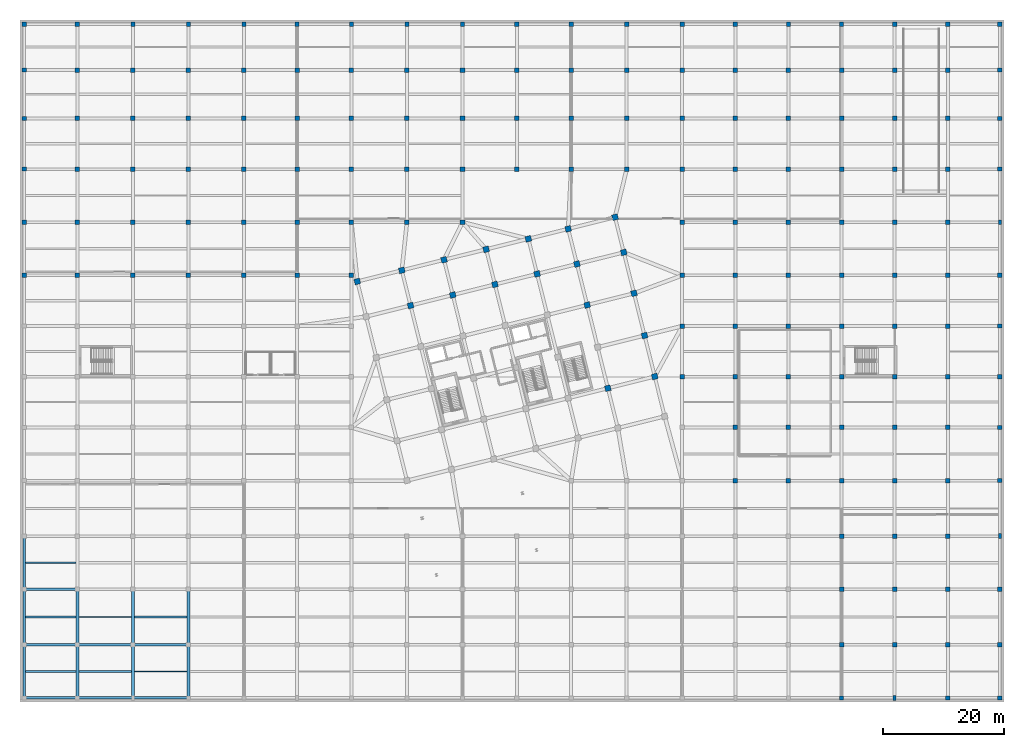
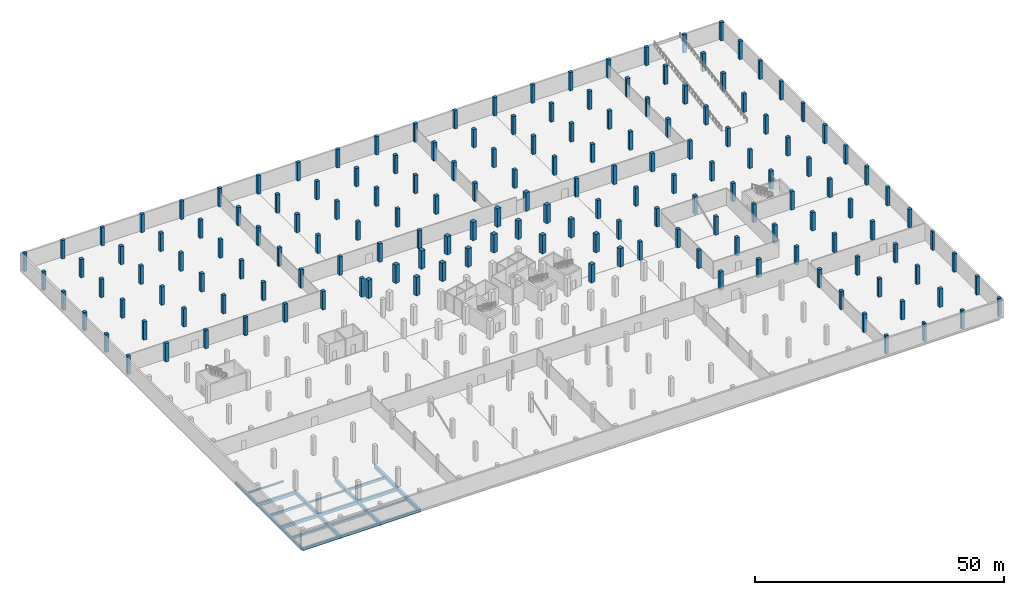
# One storey, part 7 of 31: 166 columns, 23 beams.
"""IFC4 building model written with IfcOpenShell, lengths in metres."""

from ifc_helpers import new_model, si_unit, direction, frame, origin, origin_2d, place, context, subcontext, project, spatial, rectangle, i_section, extrude, material, material_profile, profile_set, type_object, element, save


model = new_model("IFC4")

# Units and contexts
model_context = context("Model", 3, precision=1e-05, world=origin(), true_north=direction((0.0, 1.0)))
body_context = subcontext(model_context, "Body", "Model", "MODEL_VIEW")
ifc_project = project(units=[si_unit("LENGTHUNIT", "METRE"), si_unit("AREAUNIT", "SQUARE_METRE"), si_unit("VOLUMEUNIT", "CUBIC_METRE"), si_unit("PLANEANGLEUNIT", "RADIAN"), si_unit("MASSUNIT", "GRAM", prefix="KILO")], contexts=[model_context])

# Site, building, storey
site_placement = place(None, origin())
site = spatial("IfcSite", under=ifc_project, at=site_placement, CompositionType="ELEMENT")
building_placement = place(site_placement, origin())
building = spatial("IfcBuilding", under=site, at=building_placement, Name="Meriwether Solvik Hall", CompositionType="ELEMENT")
storey_placement = place(building_placement, frame((0.0, 0.0, -4.5)))
storey = spatial("IfcBuildingStorey", under=building, at=storey_placement, Name="B01", CompositionType="ELEMENT", Elevation=-4.5)

# Columns
ifc_material_1 = material(Name="Concrete C40/50", Category="concrete")
ifc_material_profile_1 = material_profile(ifc_material_1, rectangle(XDim=0.699951171875, YDim=0.699951171875, at=origin_2d()), Name="RCC-700X700")
ifc_profile_set_1 = profile_set([ifc_material_profile_1], Name="Concrete C40/50")
column_type_1 = type_object("IfcColumnType", Name="COL-RC-700", PredefinedType="COLUMN", material=ifc_profile_set_1)
for number, where, z_axis, x_axis, name in (
    (1, (5.199951171875, 75.199951171875, 0.0), (0.0, 0.0, 1.0), (1.0, 0.0, 0.0), "Podium Column 1/I (B01)"),
    (2, (5.199951171875, 84.0, 0.0), (0.0, 0.0, 1.0), (1.0, 0.0, 0.0), "Podium Column 1/J (B01)"),
    (3, (5.199951171875, 92.800048828125, 0.0), (0.0, 0.0, 1.0), (1.0, 0.0, 0.0), "Podium Column 1/K (B01)"),
    (4, (5.199951171875, 101.199951171875, 0.0), (0.0, 0.0, 1.0), (1.0, 0.0, 0.0), "Podium Column 1/L (B01)"),
    (5, (5.199951171875, 109.199951171875, 0.0), (0.0, 0.0, 1.0), (1.0, 0.0, 0.0), "Podium Column 1/M (B01)"),
    (6, (5.199951171875, 116.800048828125, 0.0), (0.0, 0.0, 1.0), (1.0, 0.0, 0.0), "Podium Column 1/N (B01)"),
    (7, (14.0, 116.800048828125, 0.0), (0.0, 0.0, 1.0), (1.0, 0.0, 0.0), "Podium Column 2/N (B01)"),
    (8, (23.199951171875, 116.800048828125, 0.0), (0.0, 0.0, 1.0), (1.0, 0.0, 0.0), "Podium Column 3/N (B01)"),
    (9, (32.39990234375, 116.800048828125, 0.0), (0.0, 0.0, 1.0), (1.0, 0.0, 0.0), "Podium Column 4/N (B01)"),
    (10, (41.60009765625, 116.800048828125, 0.0), (0.0, 0.0, 1.0), (1.0, 0.0, 0.0), "Podium Column 5/N (B01)"),
    (11, (50.39990234375, 116.800048828125, 0.0), (0.0, 0.0, 1.0), (1.0, 0.0, 0.0), "Podium Column 6/N (B01)"),
    (12, (59.39990234375, 116.800048828125, 0.0), (0.0, 0.0, 1.0), (1.0, 0.0, 0.0), "Podium Column 7/N (B01)"),
    (13, (68.60009765625, 116.800048828125, 0.0), (0.0, 0.0, 1.0), (1.0, 0.0, 0.0), "Podium Column 8/N (B01)"),
    (14, (77.800048828125, 116.800048828125, 0.0), (0.0, 0.0, 1.0), (1.0, 0.0, 0.0), "Podium Column 9/N (B01)"),
    (15, (86.800048828125, 116.800048828125, 0.0), (0.0, 0.0, 1.0), (1.0, 0.0, 0.0), "Podium Column 10/N (B01)"),
    (16, (95.800048828125, 116.800048828125, 0.0), (0.0, 0.0, 1.0), (1.0, 0.0, 0.0), "Podium Column 11/N (B01)"),
    (17, (105.0, 116.800048828125, 0.0), (0.0, 0.0, 1.0), (1.0, 0.0, 0.0), "Podium Column 12/N (B01)"),
    (18, (114.199951171875, 116.800048828125, 0.0), (0.0, 0.0, 1.0), (1.0, 0.0, 0.0), "Podium Column 13/N (B01)"),
    (19, (123.0, 116.800048828125, 0.0), (0.0, 0.0, 1.0), (1.0, 0.0, 0.0), "Podium Column 14/N (B01)"),
    (20, (131.800048828125, 116.800048828125, 0.0), (0.0, 0.0, 1.0), (1.0, 0.0, 0.0), "Podium Column 15/N (B01)"),
    (21, (140.60009765625, 5.199951171875, 0.0), (0.0, 0.0, 1.0), (1.0, 0.0, 0.0), "Podium Column 16/A (B01)"),
    (22, (140.60009765625, 116.800048828125, 0.0), (0.0, 0.0, 1.0), (1.0, 0.0, 0.0), "Podium Column 16/N (B01)"),
    (23, (149.39990234375, 116.800048828125, 0.0), (0.0, 0.0, 1.0), (1.0, 0.0, 0.0), "Podium Column 17/N (B01)"),
    (24, (158.199951171875, 5.199951171875, 0.0), (0.0, 0.0, 1.0), (1.0, 0.0, 0.0), "Podium Column 18/A (B01)"),
    (25, (158.199951171875, 116.800048828125, 0.0), (0.0, 0.0, 1.0), (1.0, 0.0, 0.0), "Podium Column 18/N (B01)"),
    (26, (166.800048828125, 5.199951171875, 0.0), (0.0, 0.0, 1.0), (1.0, 0.0, 0.0), "Podium Column 19/A (B01)"),
    (27, (166.800048828125, 14.0, 0.0), (0.0, 0.0, 1.0), (1.0, 0.0, 0.0), "Podium Column 19/B (B01)"),
    (28, (166.800048828125, 23.199951171875, 0.0), (0.0, 0.0, 1.0), (1.0, 0.0, 0.0), "Podium Column 19/C (B01)"),
    (29, (166.800048828125, 41.199951171875, 0.0), (0.0, 0.0, 1.0), (1.0, 0.0, 0.0), "Podium Column 19/E (B01)"),
    (30, (166.800048828125, 50.0, 0.0), (0.0, 0.0, 1.0), (1.0, 0.0, 0.0), "Podium Column 19/F (B01)"),
    (31, (166.800048828125, 58.39990234375, 0.0), (0.0, 0.0, 1.0), (1.0, 0.0, 0.0), "Podium Column 19/G (B01)"),
    (32, (166.800048828125, 66.800048828125, 0.0), (0.0, 0.0, 1.0), (1.0, 0.0, 0.0), "Podium Column 19/H (B01)"),
    (33, (166.800048828125, 75.199951171875, 0.0), (0.0, 0.0, 1.0), (1.0, 0.0, 0.0), "Podium Column 19/I (B01)"),
    (34, (166.800048828125, 92.800048828125, 0.0), (0.0, 0.0, 1.0), (1.0, 0.0, 0.0), "Podium Column 19/K (B01)"),
    (35, (166.800048828125, 101.199951171875, 0.0), (0.0, 0.0, 1.0), (1.0, 0.0, 0.0), "Podium Column 19/L (B01)"),
    (36, (166.800048828125, 109.199951171875, 0.0), (0.0, 0.0, 1.0), (1.0, 0.0, 0.0), "Podium Column 19/M (B01)"),
    (37, (166.800048828125, 116.800048828125, 0.0), (0.0, 0.0, 1.0), (1.0, 0.0, 0.0), "Podium Column 19/N (B01)"),
):
    element("IfcColumn", number, at=place(storey_placement, frame(where, z_axis=z_axis, x_axis=x_axis)), inside=storey, type_object=column_type_1, Name=name, PredefinedType="COLUMN", context=body_context, shape_type="SweptSolid", body=[
        extrude(rectangle(XDim=0.699951171875, YDim=0.699951171875, at=origin_2d()), origin(), (0.0, 0.0, 1.0), 4.5),
    ])
ifc_material_2 = material(Name="Concrete C40/50", Category="concrete")
ifc_material_profile_2 = material_profile(ifc_material_2, rectangle(XDim=0.75, YDim=0.75, at=origin_2d()), Name="RCC-750X750")
ifc_profile_set_2 = profile_set([ifc_material_profile_2], Name="Concrete C40/50")
column_type_2 = type_object("IfcColumnType", Name="COL-RC-750", PredefinedType="COLUMN", material=ifc_profile_set_2)
for number, where, z_axis, x_axis, name in (
    (38, (14.0, 75.199951171875, 0.0), (0.0, 0.0, 1.0), (1.0, 0.0, 0.0), "Podium Column 2/I (B01)"),
    (39, (14.0, 84.0, 0.0), (0.0, 0.0, 1.0), (1.0, 0.0, 0.0), "Podium Column 2/J (B01)"),
    (40, (14.0, 92.800048828125, 0.0), (0.0, 0.0, 1.0), (1.0, 0.0, 0.0), "Podium Column 2/K (B01)"),
    (41, (14.0, 101.199951171875, 0.0), (0.0, 0.0, 1.0), (1.0, 0.0, 0.0), "Podium Column 2/L (B01)"),
    (42, (14.0, 109.199951171875, 0.0), (0.0, 0.0, 1.0), (1.0, 0.0, 0.0), "Podium Column 2/M (B01)"),
    (43, (23.199951171875, 75.199951171875, 0.0), (0.0, 0.0, 1.0), (1.0, 0.0, 0.0), "Podium Column 3/I (B01)"),
    (44, (23.199951171875, 84.0, 0.0), (0.0, 0.0, 1.0), (1.0, 0.0, 0.0), "Podium Column 3/J (B01)"),
    (45, (23.199951171875, 92.800048828125, 0.0), (0.0, 0.0, 1.0), (1.0, 0.0, 0.0), "Podium Column 3/K (B01)"),
    (46, (23.199951171875, 101.199951171875, 0.0), (0.0, 0.0, 1.0), (1.0, 0.0, 0.0), "Podium Column 3/L (B01)"),
    (47, (23.199951171875, 109.199951171875, 0.0), (0.0, 0.0, 1.0), (1.0, 0.0, 0.0), "Podium Column 3/M (B01)"),
    (48, (32.39990234375, 75.199951171875, 0.0), (0.0, 0.0, 1.0), (1.0, 0.0, 0.0), "Podium Column 4/I (B01)"),
    (49, (32.39990234375, 84.0, 0.0), (0.0, 0.0, 1.0), (1.0, 0.0, 0.0), "Podium Column 4/J (B01)"),
    (50, (32.39990234375, 92.800048828125, 0.0), (0.0, 0.0, 1.0), (1.0, 0.0, 0.0), "Podium Column 4/K (B01)"),
    (51, (32.39990234375, 101.199951171875, 0.0), (0.0, 0.0, 1.0), (1.0, 0.0, 0.0), "Podium Column 4/L (B01)"),
    (52, (32.39990234375, 109.199951171875, 0.0), (0.0, 0.0, 1.0), (1.0, 0.0, 0.0), "Podium Column 4/M (B01)"),
    (53, (41.60009765625, 75.199951171875, 0.0), (0.0, 0.0, 1.0), (1.0, 0.0, 0.0), "Podium Column 5/I (B01)"),
    (54, (41.60009765625, 84.0, 0.0), (0.0, 0.0, 1.0), (1.0, 0.0, 0.0), "Podium Column 5/J (B01)"),
    (55, (41.60009765625, 92.800048828125, 0.0), (0.0, 0.0, 1.0), (1.0, 0.0, 0.0), "Podium Column 5/K (B01)"),
    (56, (41.60009765625, 101.199951171875, 0.0), (0.0, 0.0, 1.0), (1.0, 0.0, 0.0), "Podium Column 5/L (B01)"),
    (57, (41.60009765625, 109.199951171875, 0.0), (0.0, 0.0, 1.0), (1.0, 0.0, 0.0), "Podium Column 5/M (B01)"),
    (58, (50.39990234375, 75.199951171875, 0.0), (0.0, 0.0, 1.0), (1.0, 0.0, 0.0), "Podium Column 6/I (B01)"),
    (59, (50.39990234375, 84.0, 0.0), (0.0, 0.0, 1.0), (1.0, 0.0, 0.0), "Podium Column 6/J (B01)"),
    (60, (50.39990234375, 92.800048828125, 0.0), (0.0, 0.0, 1.0), (1.0, 0.0, 0.0), "Podium Column 6/K (B01)"),
    (61, (50.39990234375, 101.199951171875, 0.0), (0.0, 0.0, 1.0), (1.0, 0.0, 0.0), "Podium Column 6/L (B01)"),
    (62, (50.39990234375, 109.199951171875, 0.0), (0.0, 0.0, 1.0), (1.0, 0.0, 0.0), "Podium Column 6/M (B01)"),
    (63, (59.39990234375, 75.199951171875, 0.0), (0.0, 0.0, 1.0), (1.0, 0.0, 0.0), "Podium Column 7/I (B01)"),
    (64, (59.39990234375, 84.0, 0.0), (0.0, 0.0, 1.0), (1.0, 0.0, 0.0), "Podium Column 7/J (B01)"),
    (65, (59.39990234375, 92.800048828125, 0.0), (0.0, 0.0, 1.0), (1.0, 0.0, 0.0), "Podium Column 7/K (B01)"),
    (66, (59.39990234375, 101.199951171875, 0.0), (0.0, 0.0, 1.0), (1.0, 0.0, 0.0), "Podium Column 7/L (B01)"),
    (67, (59.39990234375, 109.199951171875, 0.0), (0.0, 0.0, 1.0), (1.0, 0.0, 0.0), "Podium Column 7/M (B01)"),
    (68, (68.60009765625, 84.0, 0.0), (0.0, 0.0, 1.0), (1.0, 0.0, 0.0), "Podium Column 8/J (B01)"),
    (69, (68.60009765625, 92.800048828125, 0.0), (0.0, 0.0, 1.0), (1.0, 0.0, 0.0), "Podium Column 8/K (B01)"),
    (70, (68.60009765625, 101.199951171875, 0.0), (0.0, 0.0, 1.0), (1.0, 0.0, 0.0), "Podium Column 8/L (B01)"),
    (71, (68.60009765625, 109.199951171875, 0.0), (0.0, 0.0, 1.0), (1.0, 0.0, 0.0), "Podium Column 8/M (B01)"),
    (72, (77.800048828125, 84.0, 0.0), (0.0, 0.0, 1.0), (1.0, 0.0, 0.0), "Podium Column 9/J (B01)"),
    (73, (77.800048828125, 92.800048828125, 0.0), (0.0, 0.0, 1.0), (1.0, 0.0, 0.0), "Podium Column 9/K (B01)"),
    (74, (77.800048828125, 101.199951171875, 0.0), (0.0, 0.0, 1.0), (1.0, 0.0, 0.0), "Podium Column 9/L (B01)"),
    (75, (77.800048828125, 109.199951171875, 0.0), (0.0, 0.0, 1.0), (1.0, 0.0, 0.0), "Podium Column 9/M (B01)"),
    (76, (86.800048828125, 92.800048828125, 0.0), (0.0, 0.0, 1.0), (1.0, 0.0, 0.0), "Podium Column 10/K (B01)"),
    (77, (86.800048828125, 101.199951171875, 0.0), (0.0, 0.0, 1.0), (1.0, 0.0, 0.0), "Podium Column 10/L (B01)"),
    (78, (86.800048828125, 109.199951171875, 0.0), (0.0, 0.0, 1.0), (1.0, 0.0, 0.0), "Podium Column 10/M (B01)"),
    (79, (95.800048828125, 92.800048828125, 0.0), (0.0, 0.0, 1.0), (1.0, 0.0, 0.0), "Podium Column 11/K (B01)"),
    (80, (95.800048828125, 101.199951171875, 0.0), (0.0, 0.0, 1.0), (1.0, 0.0, 0.0), "Podium Column 11/L (B01)"),
    (81, (95.800048828125, 109.199951171875, 0.0), (0.0, 0.0, 1.0), (1.0, 0.0, 0.0), "Podium Column 11/M (B01)"),
    (82, (105.0, 92.800048828125, 0.0), (0.0, 0.0, 1.0), (1.0, 0.0, 0.0), "Podium Column 12/K (B01)"),
    (83, (105.0, 101.199951171875, 0.0), (0.0, 0.0, 1.0), (1.0, 0.0, 0.0), "Podium Column 12/L (B01)"),
    (84, (105.0, 109.199951171875, 0.0), (0.0, 0.0, 1.0), (1.0, 0.0, 0.0), "Podium Column 12/M (B01)"),
    (85, (114.199951171875, 58.39990234375, 0.0), (0.0, 0.0, 1.0), (1.0, 0.0, 0.0), "Podium Column 13/G (B01)"),
    (86, (114.199951171875, 66.800048828125, 0.0), (0.0, 0.0, 1.0), (1.0, 0.0, 0.0), "Podium Column 13/H (B01)"),
    (87, (114.199951171875, 75.199951171875, 0.0), (0.0, 0.0, 1.0), (1.0, 0.0, 0.0), "Podium Column 13/I (B01)"),
    (88, (114.199951171875, 84.0, 0.0), (0.0, 0.0, 1.0), (1.0, 0.0, 0.0), "Podium Column 13/J (B01)"),
    (89, (114.199951171875, 92.800048828125, 0.0), (0.0, 0.0, 1.0), (1.0, 0.0, 0.0), "Podium Column 13/K (B01)"),
    (90, (114.199951171875, 101.199951171875, 0.0), (0.0, 0.0, 1.0), (1.0, 0.0, 0.0), "Podium Column 13/L (B01)"),
    (91, (114.199951171875, 109.199951171875, 0.0), (0.0, 0.0, 1.0), (1.0, 0.0, 0.0), "Podium Column 13/M (B01)"),
    (92, (123.0, 41.199951171875, 0.0), (0.0, 0.0, 1.0), (1.0, 0.0, 0.0), "Podium Column 14/E (B01)"),
    (93, (123.0, 50.0, 0.0), (0.0, 0.0, 1.0), (1.0, 0.0, 0.0), "Podium Column 14/F (B01)"),
    (94, (123.0, 58.39990234375, 0.0), (0.0, 0.0, 1.0), (1.0, 0.0, 0.0), "Podium Column 14/G (B01)"),
    (95, (123.0, 66.800048828125, 0.0), (0.0, 0.0, 1.0), (1.0, 0.0, 0.0), "Podium Column 14/H (B01)"),
    (96, (123.0, 75.199951171875, 0.0), (0.0, 0.0, 1.0), (1.0, 0.0, 0.0), "Podium Column 14/I (B01)"),
    (97, (123.0, 84.0, 0.0), (0.0, 0.0, 1.0), (1.0, 0.0, 0.0), "Podium Column 14/J (B01)"),
    (98, (123.0, 92.800048828125, 0.0), (0.0, 0.0, 1.0), (1.0, 0.0, 0.0), "Podium Column 14/K (B01)"),
    (99, (123.0, 101.199951171875, 0.0), (0.0, 0.0, 1.0), (1.0, 0.0, 0.0), "Podium Column 14/L (B01)"),
    (100, (123.0, 109.199951171875, 0.0), (0.0, 0.0, 1.0), (1.0, 0.0, 0.0), "Podium Column 14/M (B01)"),
    (101, (131.800048828125, 41.199951171875, 0.0), (0.0, 0.0, 1.0), (1.0, 0.0, 0.0), "Podium Column 15/E (B01)"),
    (102, (131.800048828125, 50.0, 0.0), (0.0, 0.0, 1.0), (1.0, 0.0, 0.0), "Podium Column 15/F (B01)"),
    (103, (131.800048828125, 58.39990234375, 0.0), (0.0, 0.0, 1.0), (1.0, 0.0, 0.0), "Podium Column 15/G (B01)"),
    (104, (131.800048828125, 66.800048828125, 0.0), (0.0, 0.0, 1.0), (1.0, 0.0, 0.0), "Podium Column 15/H (B01)"),
    (105, (131.800048828125, 75.199951171875, 0.0), (0.0, 0.0, 1.0), (1.0, 0.0, 0.0), "Podium Column 15/I (B01)"),
    (106, (131.800048828125, 84.0, 0.0), (0.0, 0.0, 1.0), (1.0, 0.0, 0.0), "Podium Column 15/J (B01)"),
    (107, (131.800048828125, 92.800048828125, 0.0), (0.0, 0.0, 1.0), (1.0, 0.0, 0.0), "Podium Column 15/K (B01)"),
    (108, (131.800048828125, 101.199951171875, 0.0), (0.0, 0.0, 1.0), (1.0, 0.0, 0.0), "Podium Column 15/L (B01)"),
    (109, (131.800048828125, 109.199951171875, 0.0), (0.0, 0.0, 1.0), (1.0, 0.0, 0.0), "Podium Column 15/M (B01)"),
    (110, (140.60009765625, 14.0, 0.0), (0.0, 0.0, 1.0), (1.0, 0.0, 0.0), "Podium Column 16/B (B01)"),
    (111, (140.60009765625, 23.199951171875, 0.0), (0.0, 0.0, 1.0), (1.0, 0.0, 0.0), "Podium Column 16/C (B01)"),
    (112, (140.60009765625, 32.0, 0.0), (0.0, 0.0, 1.0), (1.0, 0.0, 0.0), "Podium Column 16/D (B01)"),
    (113, (140.60009765625, 41.199951171875, 0.0), (0.0, 0.0, 1.0), (1.0, 0.0, 0.0), "Podium Column 16/E (B01)"),
    (114, (140.60009765625, 50.0, 0.0), (0.0, 0.0, 1.0), (1.0, 0.0, 0.0), "Podium Column 16/F (B01)"),
    (115, (140.60009765625, 58.39990234375, 0.0), (0.0, 0.0, 1.0), (1.0, 0.0, 0.0), "Podium Column 16/G (B01)"),
    (116, (140.60009765625, 66.800048828125, 0.0), (0.0, 0.0, 1.0), (1.0, 0.0, 0.0), "Podium Column 16/H (B01)"),
    (117, (140.60009765625, 75.199951171875, 0.0), (0.0, 0.0, 1.0), (1.0, 0.0, 0.0), "Podium Column 16/I (B01)"),
    (118, (140.60009765625, 84.0, 0.0), (0.0, 0.0, 1.0), (1.0, 0.0, 0.0), "Podium Column 16/J (B01)"),
    (119, (140.60009765625, 92.800048828125, 0.0), (0.0, 0.0, 1.0), (1.0, 0.0, 0.0), "Podium Column 16/K (B01)"),
    (120, (140.60009765625, 101.199951171875, 0.0), (0.0, 0.0, 1.0), (1.0, 0.0, 0.0), "Podium Column 16/L (B01)"),
    (121, (140.60009765625, 109.199951171875, 0.0), (0.0, 0.0, 1.0), (1.0, 0.0, 0.0), "Podium Column 16/M (B01)"),
    (122, (149.39990234375, 14.0, 0.0), (0.0, 0.0, 1.0), (1.0, 0.0, 0.0), "Podium Column 17/B (B01)"),
    (123, (149.39990234375, 23.199951171875, 0.0), (0.0, 0.0, 1.0), (1.0, 0.0, 0.0), "Podium Column 17/C (B01)"),
    (124, (149.39990234375, 32.0, 0.0), (0.0, 0.0, 1.0), (1.0, 0.0, 0.0), "Podium Column 17/D (B01)"),
    (125, (149.39990234375, 41.199951171875, 0.0), (0.0, 0.0, 1.0), (1.0, 0.0, 0.0), "Podium Column 17/E (B01)"),
    (126, (149.39990234375, 50.0, 0.0), (0.0, 0.0, 1.0), (1.0, 0.0, 0.0), "Podium Column 17/F (B01)"),
    (127, (149.39990234375, 58.39990234375, 0.0), (0.0, 0.0, 1.0), (1.0, 0.0, 0.0), "Podium Column 17/G (B01)"),
    (128, (149.39990234375, 66.800048828125, 0.0), (0.0, 0.0, 1.0), (1.0, 0.0, 0.0), "Podium Column 17/H (B01)"),
    (129, (149.39990234375, 75.199951171875, 0.0), (0.0, 0.0, 1.0), (1.0, 0.0, 0.0), "Podium Column 17/I (B01)"),
    (130, (149.39990234375, 84.0, 0.0), (0.0, 0.0, 1.0), (1.0, 0.0, 0.0), "Podium Column 17/J (B01)"),
    (131, (149.39990234375, 92.800048828125, 0.0), (0.0, 0.0, 1.0), (1.0, 0.0, 0.0), "Podium Column 17/K (B01)"),
    (132, (149.39990234375, 101.199951171875, 0.0), (0.0, 0.0, 1.0), (1.0, 0.0, 0.0), "Podium Column 17/L (B01)"),
    (133, (149.39990234375, 109.199951171875, 0.0), (0.0, 0.0, 1.0), (1.0, 0.0, 0.0), "Podium Column 17/M (B01)"),
    (134, (158.199951171875, 14.0, 0.0), (0.0, 0.0, 1.0), (1.0, 0.0, 0.0), "Podium Column 18/B (B01)"),
    (135, (158.199951171875, 23.199951171875, 0.0), (0.0, 0.0, 1.0), (1.0, 0.0, 0.0), "Podium Column 18/C (B01)"),
    (136, (158.199951171875, 32.0, 0.0), (0.0, 0.0, 1.0), (1.0, 0.0, 0.0), "Podium Column 18/D (B01)"),
    (137, (158.199951171875, 41.199951171875, 0.0), (0.0, 0.0, 1.0), (1.0, 0.0, 0.0), "Podium Column 18/E (B01)"),
    (138, (158.199951171875, 50.0, 0.0), (0.0, 0.0, 1.0), (1.0, 0.0, 0.0), "Podium Column 18/F (B01)"),
    (139, (158.199951171875, 58.39990234375, 0.0), (0.0, 0.0, 1.0), (1.0, 0.0, 0.0), "Podium Column 18/G (B01)"),
    (140, (158.199951171875, 66.800048828125, 0.0), (0.0, 0.0, 1.0), (1.0, 0.0, 0.0), "Podium Column 18/H (B01)"),
    (141, (158.199951171875, 75.199951171875, 0.0), (0.0, 0.0, 1.0), (1.0, 0.0, 0.0), "Podium Column 18/I (B01)"),
    (142, (158.199951171875, 84.0, 0.0), (0.0, 0.0, 1.0), (1.0, 0.0, 0.0), "Podium Column 18/J (B01)"),
    (143, (158.199951171875, 92.800048828125, 0.0), (0.0, 0.0, 1.0), (1.0, 0.0, 0.0), "Podium Column 18/K (B01)"),
    (144, (158.199951171875, 101.199951171875, 0.0), (0.0, 0.0, 1.0), (1.0, 0.0, 0.0), "Podium Column 18/L (B01)"),
    (145, (158.199951171875, 109.199951171875, 0.0), (0.0, 0.0, 1.0), (1.0, 0.0, 0.0), "Podium Column 18/M (B01)"),
):
    element("IfcColumn", number, at=place(storey_placement, frame(where, z_axis=z_axis, x_axis=x_axis)), inside=storey, type_object=column_type_2, Name=name, PredefinedType="COLUMN", context=body_context, shape_type="SweptSolid", body=[
        extrude(rectangle(XDim=0.75, YDim=0.75, at=origin_2d()), origin(), (0.0, 0.0, 1.0), 4.5),
    ])
ifc_material_3 = material(Name="Concrete C45/55", Category="concrete")
ifc_material_profile_3 = material_profile(ifc_material_3, rectangle(XDim=0.949951171875, YDim=0.949951171875, at=origin_2d()), Name="RCC-950X950")
ifc_profile_set_3 = profile_set([ifc_material_profile_3], Name="Concrete C45/55")
column_type_3 = type_object("IfcColumnType", Name="COL-RC-950", PredefinedType="COLUMN", material=ifc_profile_set_3)
for number, where, z_axis, x_axis, name in (
    (146, (60.374755859375, 74.18994140625, 0.0), (0.0, 0.0, 1.0), (0.970295726276, 0.2419218956, 0.0), "Tower Column T1/TF (B01)"),
    (147, (69.200439453125, 70.206787109375, 0.0), (0.0, 0.0, 1.0), (0.970295726276, 0.2419218956, 0.0), "Tower Column T2/TE (B01)"),
    (148, (67.7490234375, 76.028564453125, 0.0), (0.0, 0.0, 1.0), (0.970295726276, 0.2419218956, 0.0), "Tower Column T2/TF (B01)"),
    (149, (76.1865234375, 71.94873046875, 0.0), (0.0, 0.0, 1.0), (0.970295726276, 0.2419218956, 0.0), "Tower Column T3/TE (B01)"),
    (150, (74.735107421875, 77.7705078125, 0.0), (0.0, 0.0, 1.0), (0.970295726276, 0.2419218956, 0.0), "Tower Column T3/TF (B01)"),
    (151, (83.172607421875, 73.690673828125, 0.0), (0.0, 0.0, 1.0), (0.970295726276, 0.2419218956, 0.0), "Tower Column T4/TE (B01)"),
    (152, (81.72119140625, 79.512451171875, 0.0), (0.0, 0.0, 1.0), (0.970295726276, 0.2419218956, 0.0), "Tower Column T4/TF (B01)"),
    (153, (90.158935546875, 75.432373046875, 0.0), (0.0, 0.0, 1.0), (0.970295726276, 0.2419218956, 0.0), "Tower Column T5/TE (B01)"),
    (154, (88.707275390625, 81.254150390625, 0.0), (0.0, 0.0, 1.0), (0.970295726276, 0.2419218956, 0.0), "Tower Column T5/TF (B01)"),
    (155, (101.885498046875, 56.507080078125, 0.0), (0.0, 0.0, 1.0), (0.970295726276, 0.2419218956, 0.0), "Tower Column T6/TB (B01)"),
    (156, (98.4501953125, 70.285400390625, 0.0), (0.0, 0.0, 1.0), (0.970295726276, 0.2419218956, 0.0), "Tower Column T6/TD (B01)"),
    (157, (96.7568359375, 77.077392578125, 0.0), (0.0, 0.0, 1.0), (0.970295726276, 0.2419218956, 0.0), "Tower Column T6/TE (B01)"),
    (158, (95.305419921875, 82.899169921875, 0.0), (0.0, 0.0, 1.0), (0.970295726276, 0.2419218956, 0.0), "Tower Column T6/TF (B01)"),
    (159, (109.64794921875, 58.442626953125, 0.0), (0.0, 0.0, 1.0), (0.970295726276, 0.2419218956, 0.0), "Tower Column T7/TB (B01)"),
    (160, (107.95458984375, 65.234619140625, 0.0), (0.0, 0.0, 1.0), (0.970295726276, 0.2419218956, 0.0), "Tower Column T7/TC (B01)"),
    (161, (106.212646484375, 72.220703125, 0.0), (0.0, 0.0, 1.0), (0.970295726276, 0.2419218956, 0.0), "Tower Column T7/TD (B01)"),
    (162, (104.519287109375, 79.012939453125, 0.0), (0.0, 0.0, 1.0), (0.970295726276, 0.2419218956, 0.0), "Tower Column T7/TE (B01)"),
    (163, (103.067626953125, 84.834716796875, 0.0), (0.0, 0.0, 1.0), (0.970295726276, 0.2419218956, 0.0), "Tower Column T7/TF (B01)"),
):
    element("IfcColumn", number, at=place(storey_placement, frame(where, z_axis=z_axis, x_axis=x_axis)), inside=storey, type_object=column_type_3, Name=name, PredefinedType="COLUMN", context=body_context, shape_type="SweptSolid", body=[
        extrude(rectangle(XDim=0.949951171875, YDim=0.949951171875, at=origin_2d()), origin(), (0.0, 0.0, 1.0), 4.5),
    ])
ifc_material_4 = material(Name="Concrete C40/50", Category="concrete")
ifc_material_profile_4 = material_profile(ifc_material_4, rectangle(XDim=0.5, YDim=0.800048828125, at=origin_2d()), Name="RCP-500X800")
ifc_profile_set_4 = profile_set([ifc_material_profile_4], Name="Concrete C40/50")
column_type_4 = type_object("IfcColumnType", Name="PIL-RC-500X800", PredefinedType="PILASTER", material=ifc_profile_set_4)
for number, where, z_axis, x_axis, name in (
    (164, (149.39990234375, 5.199951171875, 0.0), (0.0, 0.0, 1.0), (1.0, 0.0, 0.0), "Podium Column 17/A (B01)"),
    (165, (166.800048828125, 32.0, 0.0), (0.0, 0.0, 1.0), (1.0, 0.0, 0.0), "Podium Column 19/D (B01)"),
    (166, (166.800048828125, 84.0, 0.0), (0.0, 0.0, 1.0), (1.0, 0.0, 0.0), "Podium Column 19/J (B01)"),
):
    element("IfcColumn", number, at=place(storey_placement, frame(where, z_axis=z_axis, x_axis=x_axis)), inside=storey, type_object=column_type_4, Name=name, PredefinedType="PILASTER", context=body_context, shape_type="SweptSolid", body=[
        extrude(rectangle(XDim=0.5, YDim=0.800048828125, at=origin_2d()), origin(), (0.0, 0.0, 1.0), 4.5),
    ])

# Beams
ifc_material_5 = material(Name="Concrete C40/50", Category="concrete")
ifc_material_profile_5 = material_profile(ifc_material_5, rectangle(XDim=0.35009765625, YDim=0.60009765625, at=origin_2d()), Name="RCB-350X600")
ifc_profile_set_5 = profile_set([ifc_material_profile_5], Name="Concrete C40/50")
beam_type_1 = type_object("IfcBeamType", Name="BM-RC-350X600", PredefinedType="JOIST", material=ifc_profile_set_5)
for number, where, z_axis, x_axis, name in (
    (167, (5.39501953125, 9.60009765625, -0.6298828125), (1.0, 0.0, 0.0), (0.0, 1.0, 0.0), "Secondary Floor Joist 1/A (B01)"),
    (168, (5.39501953125, 18.60009765625, -0.6298828125), (1.0, 0.0, 0.0), (0.0, 1.0, 0.0), "Secondary Floor Joist 1/B (B01)"),
):
    element("IfcBeam", number, at=place(storey_placement, frame(where, z_axis=z_axis, x_axis=x_axis)), inside=storey, type_object=beam_type_1, Name=name, PredefinedType="JOIST", context=body_context, shape_type="SweptSolid", body=[
        extrude(rectangle(XDim=0.35009765625, YDim=0.60009765625, at=origin_2d()), origin(), (0.0, 0.0, 1.0), 8.35986328125),
    ])
for number, where, z_axis, x_axis, name in (
    (169, (14.2451171875, 9.60009765625, -0.6298828125), (1.0, 0.0, 0.0), (0.0, 1.0, 0.0), "Secondary Floor Joist 2/A (B01)"),
    (170, (23.445068359375, 18.60009765625, -0.6298828125), (1.0, 0.0, 0.0), (0.0, 1.0, 0.0), "Secondary Floor Joist 3/B (B01)"),
):
    element("IfcBeam", number, at=place(storey_placement, frame(where, z_axis=z_axis, x_axis=x_axis)), inside=storey, type_object=beam_type_1, Name=name, PredefinedType="JOIST", context=body_context, shape_type="SweptSolid", body=[
        extrude(rectangle(XDim=0.35009765625, YDim=0.60009765625, at=origin_2d()), origin(), (0.0, 0.0, 1.0), 8.7099609375),
    ])
ifc_material_6 = material(Name="Concrete C40/50", Category="concrete")
ifc_material_profile_6 = material_profile(ifc_material_6, rectangle(XDim=0.39990234375, YDim=0.64990234375, at=origin_2d()), Name="RCB-400X650")
ifc_profile_set_6 = profile_set([ifc_material_profile_6], Name="Concrete C40/50")
beam_type_2 = type_object("IfcBeamType", Name="BM-RC-400X650", PredefinedType="SPANDREL", material=ifc_profile_set_6)
beam_1_placement = place(storey_placement, frame((5.199951171875, 5.199951171875, -0.655029296875), z_axis=(1.0, 0.0, 0.0), x_axis=(0.0, 1.0, 0.0)))
element("IfcBeam", 171, at=beam_1_placement, inside=storey, type_object=beam_type_2, Name="Podium Girder A:1-2 (B01)", PredefinedType="SPANDREL", context=body_context, shape_type="SweptSolid", body=[
    extrude(rectangle(XDim=0.39990234375, YDim=0.64990234375, at=origin_2d()), origin(), (0.0, 0.0, 1.0), 8.800048828125),
])
for number, where, z_axis, x_axis, name in (
    (172, (14.0, 5.199951171875, -0.655029296875), (1.0, 0.0, 0.0), (0.0, 1.0, 0.0), "Podium Girder A:2-3 (B01)"),
    (173, (23.199951171875, 5.199951171875, -0.655029296875), (1.0, 0.0, 0.0), (0.0, 1.0, 0.0), "Podium Girder A:3-4 (B01)"),
):
    element("IfcBeam", number, at=place(storey_placement, frame(where, z_axis=z_axis, x_axis=x_axis)), inside=storey, type_object=beam_type_2, Name=name, PredefinedType="SPANDREL", context=body_context, shape_type="SweptSolid", body=[
        extrude(rectangle(XDim=0.39990234375, YDim=0.64990234375, at=origin_2d()), origin(), (0.0, 0.0, 1.0), 9.199951171875),
    ])
beam_2_placement = place(storey_placement, frame((5.199951171875, 5.199951171875, -0.655029296875), z_axis=(0.0, 1.0, 0.0), x_axis=(-1.0, 0.0, 0.0)))
element("IfcBeam", 174, at=beam_2_placement, inside=storey, type_object=beam_type_2, Name="Podium Girder 1:A-B (B01)", PredefinedType="SPANDREL", context=body_context, shape_type="SweptSolid", body=[
    extrude(rectangle(XDim=0.39990234375, YDim=0.64990234375, at=origin_2d()), origin(), (0.0, 0.0, 1.0), 8.800048828125),
])
beam_3_placement = place(storey_placement, frame((5.199951171875, 14.0, -0.655029296875), z_axis=(0.0, 1.0, 0.0), x_axis=(-1.0, 0.0, 0.0)))
element("IfcBeam", 175, at=beam_3_placement, inside=storey, type_object=beam_type_2, Name="Podium Girder 1:B-C (B01)", PredefinedType="SPANDREL", context=body_context, shape_type="SweptSolid", body=[
    extrude(rectangle(XDim=0.39990234375, YDim=0.64990234375, at=origin_2d()), origin(), (0.0, 0.0, 1.0), 9.199951171875),
])
beam_4_placement = place(storey_placement, frame((5.199951171875, 23.199951171875, -0.655029296875), z_axis=(0.0, 1.0, 0.0), x_axis=(-1.0, 0.0, 0.0)))
element("IfcBeam", 176, at=beam_4_placement, inside=storey, type_object=beam_type_2, Name="Podium Girder 1:C-D (B01)", PredefinedType="SPANDREL", context=body_context, shape_type="SweptSolid", body=[
    extrude(rectangle(XDim=0.39990234375, YDim=0.64990234375, at=origin_2d()), origin(), (0.0, 0.0, 1.0), 8.800048828125),
])
ifc_material_7 = material(Name="Concrete C40/50", Category="concrete")
ifc_material_profile_7 = material_profile(ifc_material_7, rectangle(XDim=0.449951171875, YDim=0.800048828125, at=origin_2d()), Name="RCB-450X800")
ifc_profile_set_7 = profile_set([ifc_material_profile_7], Name="Concrete C40/50")
beam_type_3 = type_object("IfcBeamType", Name="BM-RC-450X800", PredefinedType="BEAM", material=ifc_profile_set_7)
beam_5_placement = place(storey_placement, frame((5.199951171875, 14.0, -0.72998046875), z_axis=(1.0, 0.0, 0.0), x_axis=(0.0, 1.0, 0.0)))
element("IfcBeam", 177, at=beam_5_placement, inside=storey, type_object=beam_type_3, Name="Podium Girder B:1-2 (B01)", PredefinedType="BEAM", context=body_context, shape_type="SweptSolid", body=[
    extrude(rectangle(XDim=0.449951171875, YDim=0.800048828125, at=origin_2d()), origin(), (0.0, 0.0, 1.0), 8.800048828125),
])
for number, where, z_axis, x_axis, name in (
    (178, (14.0, 14.0, -0.72998046875), (1.0, 0.0, 0.0), (0.0, 1.0, 0.0), "Podium Girder B:2-3 (B01)"),
    (179, (23.199951171875, 14.0, -0.72998046875), (1.0, 0.0, 0.0), (0.0, 1.0, 0.0), "Podium Girder B:3-4 (B01)"),
):
    element("IfcBeam", number, at=place(storey_placement, frame(where, z_axis=z_axis, x_axis=x_axis)), inside=storey, type_object=beam_type_3, Name=name, PredefinedType="BEAM", context=body_context, shape_type="SweptSolid", body=[
        extrude(rectangle(XDim=0.449951171875, YDim=0.800048828125, at=origin_2d()), origin(), (0.0, 0.0, 1.0), 9.199951171875),
    ])
beam_6_placement = place(storey_placement, frame((5.199951171875, 23.199951171875, -0.72998046875), z_axis=(1.0, 0.0, 0.0), x_axis=(0.0, 1.0, 0.0)))
element("IfcBeam", 180, at=beam_6_placement, inside=storey, type_object=beam_type_3, Name="Podium Girder C:1-2 (B01)", PredefinedType="BEAM", context=body_context, shape_type="SweptSolid", body=[
    extrude(rectangle(XDim=0.449951171875, YDim=0.800048828125, at=origin_2d()), origin(), (0.0, 0.0, 1.0), 8.800048828125),
])
ifc_material_8 = material(Name="Concrete C40/50", Category="concrete")
ifc_material_profile_8 = material_profile(ifc_material_8, rectangle(XDim=0.5, YDim=0.85009765625, at=origin_2d()), Name="RCB-500X850")
ifc_profile_set_8 = profile_set([ifc_material_profile_8], Name="Concrete C40/50")
beam_type_4 = type_object("IfcBeamType", Name="BM-RC-500X850", PredefinedType="BEAM", material=ifc_profile_set_8)
beam_7_placement = place(storey_placement, frame((14.0, 5.199951171875, -0.7548828125), z_axis=(0.0, 1.0, 0.0), x_axis=(-1.0, 0.0, 0.0)))
element("IfcBeam", 181, at=beam_7_placement, inside=storey, type_object=beam_type_4, Name="Podium Girder 2:A-B (B01)", PredefinedType="BEAM", context=body_context, shape_type="SweptSolid", body=[
    extrude(rectangle(XDim=0.5, YDim=0.85009765625, at=origin_2d()), origin(), (0.0, 0.0, 1.0), 8.800048828125),
])
beam_8_placement = place(storey_placement, frame((14.0, 14.0, -0.7548828125), z_axis=(0.0, 1.0, 0.0), x_axis=(-1.0, 0.0, 0.0)))
element("IfcBeam", 182, at=beam_8_placement, inside=storey, type_object=beam_type_4, Name="Podium Girder 2:B-C (B01)", PredefinedType="BEAM", context=body_context, shape_type="SweptSolid", body=[
    extrude(rectangle(XDim=0.5, YDim=0.85009765625, at=origin_2d()), origin(), (0.0, 0.0, 1.0), 9.199951171875),
])
beam_9_placement = place(storey_placement, frame((23.199951171875, 5.199951171875, -0.7548828125), z_axis=(0.0, 1.0, 0.0), x_axis=(-1.0, 0.0, 0.0)))
element("IfcBeam", 183, at=beam_9_placement, inside=storey, type_object=beam_type_4, Name="Podium Girder 3:A-B (B01)", PredefinedType="BEAM", context=body_context, shape_type="SweptSolid", body=[
    extrude(rectangle(XDim=0.5, YDim=0.85009765625, at=origin_2d()), origin(), (0.0, 0.0, 1.0), 8.800048828125),
])
beam_10_placement = place(storey_placement, frame((23.199951171875, 14.0, -0.7548828125), z_axis=(0.0, 1.0, 0.0), x_axis=(-1.0, 0.0, 0.0)))
element("IfcBeam", 184, at=beam_10_placement, inside=storey, type_object=beam_type_4, Name="Podium Girder 3:B-C (B01)", PredefinedType="BEAM", context=body_context, shape_type="SweptSolid", body=[
    extrude(rectangle(XDim=0.5, YDim=0.85009765625, at=origin_2d()), origin(), (0.0, 0.0, 1.0), 9.199951171875),
])
beam_11_placement = place(storey_placement, frame((32.39990234375, 5.199951171875, -0.7548828125), z_axis=(0.0, 1.0, 0.0), x_axis=(-1.0, 0.0, 0.0)))
element("IfcBeam", 185, at=beam_11_placement, inside=storey, type_object=beam_type_4, Name="Podium Girder 4:A-B (B01)", PredefinedType="BEAM", context=body_context, shape_type="SweptSolid", body=[
    extrude(rectangle(XDim=0.5, YDim=0.85009765625, at=origin_2d()), origin(), (0.0, 0.0, 1.0), 8.800048828125),
])
beam_12_placement = place(storey_placement, frame((32.39990234375, 14.0, -0.7548828125), z_axis=(0.0, 1.0, 0.0), x_axis=(-1.0, 0.0, 0.0)))
element("IfcBeam", 186, at=beam_12_placement, inside=storey, type_object=beam_type_4, Name="Podium Girder 4:B-C (B01)", PredefinedType="BEAM", context=body_context, shape_type="SweptSolid", body=[
    extrude(rectangle(XDim=0.5, YDim=0.85009765625, at=origin_2d()), origin(), (0.0, 0.0, 1.0), 9.199951171875),
])
ifc_material_9 = material(Name="Steel A992 Grade 50", Category="steel")
ifc_material_profile_9 = material_profile(ifc_material_9, i_section(OverallWidth=0.19091796875, OverallDepth=0.45703125, WebThickness=0.009033203125, FlangeThickness=0.014404296875, at=origin_2d()), Name="W18X50")
ifc_profile_set_9 = profile_set([ifc_material_profile_9], Name="Steel A992 Grade 50")
beam_type_5 = type_object("IfcBeamType", Name="BM-STL-W18X50", PredefinedType="JOIST", material=ifc_profile_set_9)
beam_13_placement = place(storey_placement, frame((5.39501953125, 27.60009765625, -0.55859375), z_axis=(1.0, 0.0, 0.0), x_axis=(0.0, 1.0, 0.0)))
element("IfcBeam", 187, at=beam_13_placement, inside=storey, type_object=beam_type_5, Name="Secondary Floor Joist 1/C (B01)", PredefinedType="JOIST", context=body_context, shape_type="SweptSolid", body=[
    extrude(i_section(OverallWidth=0.19091796875, OverallDepth=0.45703125, WebThickness=0.009033203125, FlangeThickness=0.014404296875, at=origin_2d()), origin(), (0.0, 0.0, 1.0), 8.35986328125),
])
for number, where, z_axis, x_axis, name in (
    (188, (14.2451171875, 18.60009765625, -0.55859375), (1.0, 0.0, 0.0), (0.0, 1.0, 0.0), "Secondary Floor Joist 2/B (B01)"),
    (189, (23.445068359375, 9.60009765625, -0.55859375), (1.0, 0.0, 0.0), (0.0, 1.0, 0.0), "Secondary Floor Joist 3/A (B01)"),
):
    element("IfcBeam", number, at=place(storey_placement, frame(where, z_axis=z_axis, x_axis=x_axis)), inside=storey, type_object=beam_type_5, Name=name, PredefinedType="JOIST", context=body_context, shape_type="SweptSolid", body=[
        extrude(i_section(OverallWidth=0.19091796875, OverallDepth=0.45703125, WebThickness=0.009033203125, FlangeThickness=0.014404296875, at=origin_2d()), origin(), (0.0, 0.0, 1.0), 8.7099609375),
    ])

save(model, "model.ifc")
